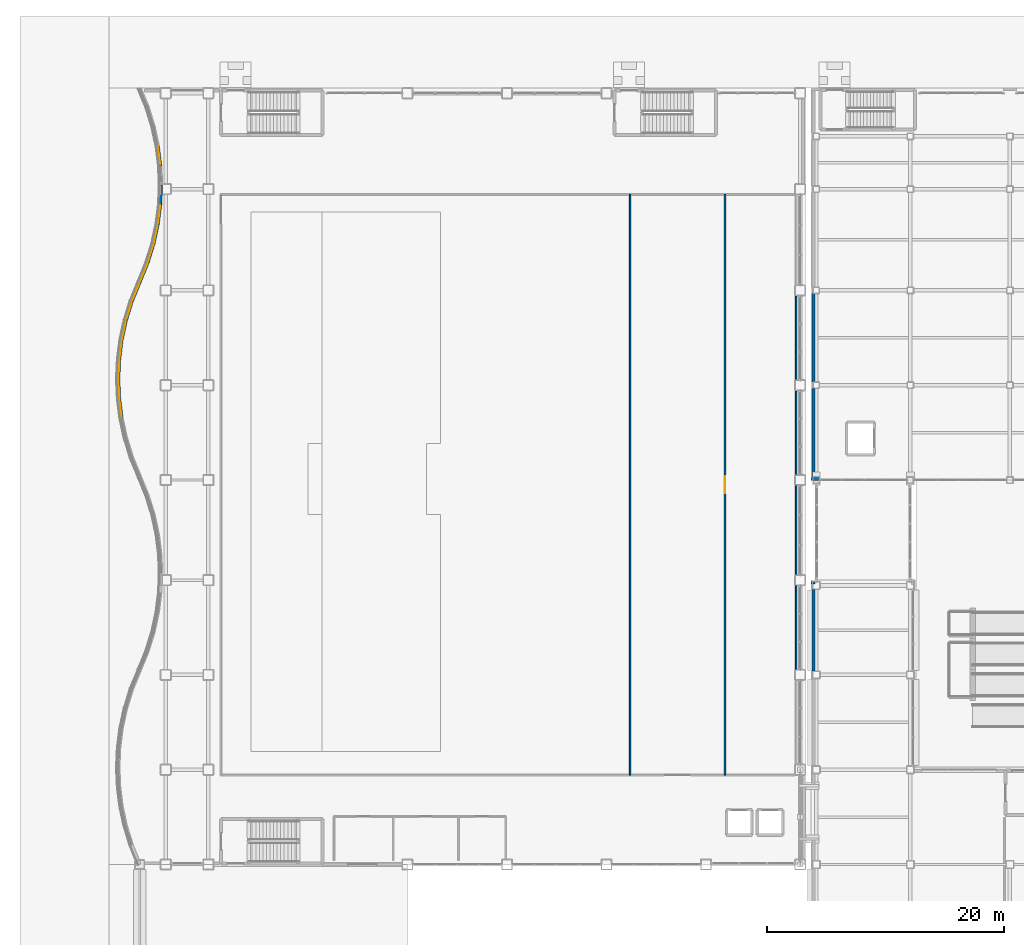
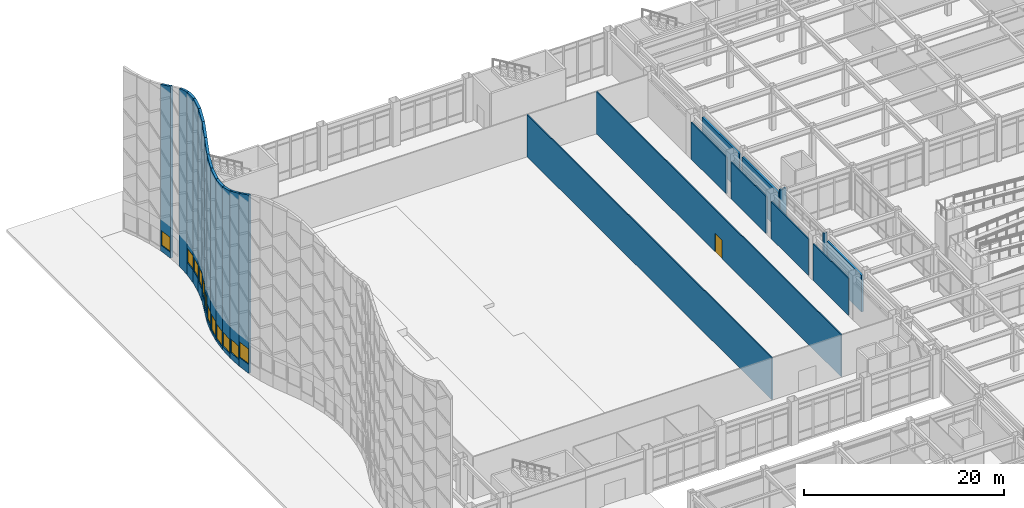
# One storey, part 131 of 165: 24 walls, 12 windows, 1 door, 13 openings.
"""IFC4 building model written with IfcOpenShell, lengths in metres."""

from ifc_helpers import new_model, si_unit, direction, frame, frame_2d, origin, place, context, subcontext, project, spatial, polyline, rectangle, outline, extrude, material, layer, layer_set, type_object, element, fill, save


model = new_model("IFC4")

# Units and contexts
model_context = context("Model", 3, precision=1e-05, world=origin(), true_north=direction((0.0, 1.0)))
body_context = subcontext(model_context, "Body", "Model", "MODEL_VIEW")
ifc_project = project(units=[si_unit("LENGTHUNIT", "METRE"), si_unit("AREAUNIT", "SQUARE_METRE"), si_unit("VOLUMEUNIT", "CUBIC_METRE"), si_unit("PLANEANGLEUNIT", "RADIAN"), si_unit("MASSUNIT", "GRAM", prefix="KILO")], contexts=[model_context])

# Site, building, storey
site_placement = place(None, origin())
site = spatial("IfcSite", under=ifc_project, at=site_placement, CompositionType="ELEMENT")
building_placement = place(site_placement, origin())
building = spatial("IfcBuilding", under=site, at=building_placement, Name="Kazehara Bluff Congress Hotel", CompositionType="ELEMENT")
storey_placement = place(building_placement, origin())
storey = spatial("IfcBuildingStorey", under=building, at=storey_placement, Name="L00", CompositionType="ELEMENT", Elevation=0.0)

# Walls
ifc_material_1 = material(Name="Precast concrete C40/50", Category="concrete")
ifc_layer_1 = layer(ifc_material_1, 0.239990234375)
ifc_layer_set_1 = layer_set([ifc_layer_1], Name="Precast concrete C40/50")
wall_type_1 = type_object("IfcWallType", Name="TP-EW-240", PredefinedType="SOLIDWALL", material=ifc_layer_set_1)
wall_1_placement = place(storey_placement, frame((59.97509765625, 81.0, 0.0), z_axis=(0.0, 0.0, 1.0), x_axis=(-1.0, 0.0, 0.0)))
element("IfcWall", 1, at=wall_1_placement, inside=storey, type_object=wall_type_1, Name="L00 V3 perimeter spandrel pier 515", PredefinedType="SOLIDWALL", context=body_context, shape_type="SweptSolid", body=[
    extrude(rectangle(XDim=0.72509765625, YDim=0.239990234375, at=frame_2d((0.362548828125, 0.0))), origin(), (0.0, 0.0, 1.0), 5.135009765625),
])
for number, where, z_axis, x_axis, name in (
    (2, (59.469970703125, 81.175048828125, 0.0), (0.0, 0.0, 1.0), (0.0, 1.0, 0.0), "L00 V3 perimeter spandrel pier 520"),
    (3, (59.469970703125, 89.175048828125, 0.0), (0.0, 0.0, 1.0), (0.0, 1.0, 0.0), "L00 V3 perimeter spandrel pier 521"),
):
    element("IfcWall", number, at=place(storey_placement, frame(where, z_axis=z_axis, x_axis=x_axis)), inside=storey, type_object=wall_type_1, Name=name, PredefinedType="SOLIDWALL", context=body_context, shape_type="SweptSolid", body=[
        extrude(rectangle(XDim=7.449951171875, YDim=0.239990234375, at=frame_2d((3.72509765625, 0.0))), origin(), (0.0, 0.0, 1.0), 4.47509765625),
    ])
wall_2_placement = place(storey_placement, frame((59.25, 72.22998046875, 0.0), z_axis=(0.0, 0.0, 1.0), x_axis=(1.0, 0.0, 0.0)))
element("IfcWall", 4, at=wall_2_placement, inside=storey, type_object=wall_type_1, Name="L00 V4 perimeter spandrel pier 535", PredefinedType="SOLIDWALL", context=body_context, shape_type="SweptSolid", body=[
    extrude(rectangle(XDim=0.360107421875, YDim=0.239990234375, at=frame_2d((0.18017578125, 0.0))), origin(), (0.0, 0.0, 1.0), 5.135009765625),
])
wall_3_placement = place(storey_placement, frame((59.469970703125, 64.77490234375, 0.0), z_axis=(0.0, 0.0, 1.0), x_axis=(0.0, 1.0, 0.0)))
element("IfcWall", 5, at=wall_3_placement, inside=storey, type_object=wall_type_1, Name="L00 V4 perimeter spandrel pier 538", PredefinedType="SOLIDWALL", context=body_context, shape_type="SweptSolid", body=[
    extrude(rectangle(XDim=6.900146484375, YDim=0.239990234375, at=frame_2d((3.4501953125, 0.0))), origin(), (0.0, 0.0, 1.0), 4.47509765625),
])

# Wall, opening, window
ifc_material_2 = material(Name="Precast concrete C40/50", Category="concrete")
ifc_layer_2 = layer(ifc_material_2, 0.280029296875)
ifc_layer_set_2 = layer_set([ifc_layer_2], Name="Precast concrete C40/50")
wall_type_2 = type_object("IfcWallType", Name="TP-EW-280", PredefinedType="SOLIDWALL", material=ifc_layer_set_2)
wall_4_placement = place(storey_placement, frame((1.070068359375, 86.139892578125, 0.0), z_axis=(0.0, 0.0, 1.0), x_axis=(-0.124071092335, 0.992273331319, 0.0)))
wall_4 = element("IfcWall", 6, at=wall_4_placement, inside=storey, type_object=wall_type_2, Name="Wave ribbon wall WR-V1 chord 24", PredefinedType="SOLIDWALL", context=body_context, shape_type="SweptSolid", body=[
    extrude(outline(polyline([(0.0, 0.0), (1.65283203125, 0.0), (1.655029296875, 21.090087890625), (1.449951171875, 21.179931640625), (1.239990234375, 21.27001953125), (1.034912109375, 21.360107421875), (0.830078125, 21.449951171875), (0.6201171875, 21.5400390625), (0.4150390625, 21.625), (0.205078125, 21.7099609375), (0.0, 21.7900390625), (0.0, 0.0)])), frame((0.0, 0.14013671875, 0.0), z_axis=(0.0, -1.0, 0.0), x_axis=(1.0, 0.0, 0.0)), (0.0, 0.0, 1.0), 0.280029296875),
])
opening_1_placement = place(wall_4_placement, frame((0.090087890625, 0.0, 1.090087890625)))
opening_1 = element("IfcOpeningElement", 7, at=opening_1_placement, cuts=wall_4, Name="Opening WW-08", PredefinedType="OPENING", context=body_context, shape_type="SweptSolid", body=[
    extrude(rectangle(XDim=1.47509765625, YDim=1.89990234375, at=frame_2d((0.737548828125, 0.949951171875))), frame((0.0, 0.14990234375, 0.0), z_axis=(0.0, -1.0, 0.0), x_axis=(1.0, 0.0, 0.0)), (0.0, 0.0, 1.0), 0.300048828125),
])
ifc_material_3 = material(Name="Insulated low-E double glazing", Category="glass")
window_type_1 = type_object("IfcWindowType", Name="TP-WW-08", PartitioningType="SINGLE_PANEL", PredefinedType="WINDOW", material=ifc_material_3)
window_1_placement = place(opening_1_placement, origin())
window_1 = element("IfcWindow", 8, at=window_1_placement, inside=storey, type_object=window_type_1, Name="Wave foyer ribbon window WR-V1-24", OverallHeight=1.89990234375, OverallWidth=1.47509765625, PartitioningType="SINGLE_PANEL", PredefinedType="WINDOW", context=body_context, shape_type="SweptSolid", body=[
    extrude(rectangle(XDim=1.47509765625, YDim=1.89990234375, at=frame_2d((0.737548828125, 0.949951171875))), frame((0.0, 0.030029296875, 0.0), z_axis=(0.0, -1.0, 0.0), x_axis=(1.0, 0.0, 0.0)), (0.0, 0.0, 1.0), 0.06005859375),
])
fill(opening_1, window_1)

wall_5_placement = place(storey_placement, frame((0.864990234375, 87.780029296875, 0.0), z_axis=(0.0, 0.0, 1.0), x_axis=(-0.042688459142, 0.99908843225, 0.0)))
wall_5 = element("IfcWall", 9, at=wall_5_placement, inside=storey, type_object=wall_type_2, Name="Wave ribbon wall WR-V1 chord 25", PredefinedType="SOLIDWALL", context=body_context, shape_type="SweptSolid", body=[
    extrude(outline(polyline([(0.0, 0.0), (1.641357421875, 0.0), (1.639892578125, 20.405029296875), (1.43505859375, 20.485107421875), (1.22998046875, 20.56494140625), (1.02490234375, 20.64990234375), (0.820068359375, 20.735107421875), (0.614990234375, 20.820068359375), (0.409912109375, 20.909912109375), (0.205078125, 21.0), (0.0, 21.090087890625), (0.0, 0.0)])), frame((0.0, 0.14013671875, 0.0), z_axis=(0.0, -1.0, 0.0), x_axis=(1.0, 0.0, 0.0)), (0.0, 0.0, 1.0), 0.280029296875),
])
opening_2_placement = place(wall_5_placement, frame((0.090087890625, 0.0, 0.7548828125)))
opening_2 = element("IfcOpeningElement", 10, at=opening_2_placement, cuts=wall_5, Name="Opening WW-01", PredefinedType="OPENING", context=body_context, shape_type="SweptSolid", body=[
    extrude(rectangle(XDim=1.4599609375, YDim=1.64990234375, at=frame_2d((0.72998046875, 0.824951171875))), frame((0.0, 0.14990234375, 0.0), z_axis=(0.0, -1.0, 0.0), x_axis=(1.0, 0.0, 0.0)), (0.0, 0.0, 1.0), 0.300048828125),
])
ifc_material_4 = material(Name="Insulated low-E double glazing", Category="glass")
window_type_2 = type_object("IfcWindowType", Name="TP-WW-01", PartitioningType="SINGLE_PANEL", PredefinedType="WINDOW", material=ifc_material_4)
window_2_placement = place(opening_2_placement, origin())
window_2 = element("IfcWindow", 11, at=window_2_placement, inside=storey, type_object=window_type_2, Name="Wave foyer ribbon window WR-V1-25", OverallHeight=1.64990234375, OverallWidth=1.4599609375, PartitioningType="SINGLE_PANEL", PredefinedType="WINDOW", context=body_context, shape_type="SweptSolid", body=[
    extrude(rectangle(XDim=1.4599609375, YDim=1.64990234375, at=frame_2d((0.72998046875, 0.824951171875))), frame((0.0, 0.030029296875, 0.0), z_axis=(0.0, -1.0, 0.0), x_axis=(1.0, 0.0, 0.0)), (0.0, 0.0, 1.0), 0.06005859375),
])
fill(opening_2, window_2)

wall_6_placement = place(storey_placement, frame((0.794921875, 89.419921875, 0.0), z_axis=(0.0, 0.0, 1.0), x_axis=(0.042682116378, 0.99908870324, 0.0)))
wall_6 = element("IfcWall", 12, at=wall_6_placement, inside=storey, type_object=wall_type_2, Name="Wave ribbon wall WR-V1 chord 26", PredefinedType="SOLIDWALL", context=body_context, shape_type="SweptSolid", body=[
    extrude(outline(polyline([(0.0, 0.0), (1.6416015625, 0.0), (1.639892578125, 19.919921875), (1.43505859375, 19.965087890625), (1.22998046875, 20.014892578125), (1.02490234375, 20.070068359375), (0.820068359375, 20.1298828125), (0.614990234375, 20.195068359375), (0.409912109375, 20.260009765625), (0.205078125, 20.330078125), (0.0, 20.405029296875), (0.0, 0.0)])), frame((0.0, 0.14013671875, 0.0), z_axis=(0.0, -1.0, 0.0), x_axis=(1.0, 0.0, 0.0)), (0.0, 0.0, 1.0), 0.280029296875),
])
opening_3_placement = place(wall_6_placement, frame((0.090087890625, 0.0, 0.47509765625)))
opening_3 = element("IfcOpeningElement", 13, at=opening_3_placement, cuts=wall_6, Name="Opening WW-02", PredefinedType="OPENING", context=body_context, shape_type="SweptSolid", body=[
    extrude(rectangle(XDim=1.4599609375, YDim=1.75, at=frame_2d((0.72998046875, 0.875))), frame((0.0, 0.14990234375, 0.0), z_axis=(0.0, -1.0, 0.0), x_axis=(1.0, 0.0, 0.0)), (0.0, 0.0, 1.0), 0.300048828125),
])
ifc_material_5 = material(Name="Insulated low-E double glazing", Category="glass")
window_type_3 = type_object("IfcWindowType", Name="TP-WW-02", PartitioningType="SINGLE_PANEL", PredefinedType="WINDOW", material=ifc_material_5)
window_3_placement = place(opening_3_placement, origin())
window_3 = element("IfcWindow", 14, at=window_3_placement, inside=storey, type_object=window_type_3, Name="Wave foyer ribbon window WR-V1-26", OverallHeight=1.75, OverallWidth=1.4599609375, PartitioningType="SINGLE_PANEL", PredefinedType="WINDOW", context=body_context, shape_type="SweptSolid", body=[
    extrude(rectangle(XDim=1.4599609375, YDim=1.75, at=frame_2d((0.72998046875, 0.875))), frame((0.0, 0.030029296875, 0.0), z_axis=(0.0, -1.0, 0.0), x_axis=(1.0, 0.0, 0.0)), (0.0, 0.0, 1.0), 0.06005859375),
])
fill(opening_3, window_3)

wall_7_placement = place(storey_placement, frame((0.864990234375, 91.06005859375, 0.0), z_axis=(0.0, 0.0, 1.0), x_axis=(0.124454129367, 0.992225362346, 0.0)))
wall_7 = element("IfcWall", 15, at=wall_7_placement, inside=storey, type_object=wall_type_2, Name="Wave ribbon wall WR-V1 chord 27", PredefinedType="SOLIDWALL", context=body_context, shape_type="SweptSolid", body=[
    extrude(outline(polyline([(0.0, 0.0), (1.647705078125, 0.0), (1.64990234375, 19.75), (1.445068359375, 19.75), (1.235107421875, 19.760009765625), (1.030029296875, 19.77001953125), (0.824951171875, 19.7900390625), (0.6201171875, 19.81494140625), (0.409912109375, 19.844970703125), (0.205078125, 19.8798828125), (0.0, 19.919921875), (0.0, 0.0)])), frame((0.0, 0.14013671875, 0.0), z_axis=(0.0, -1.0, 0.0), x_axis=(1.0, 0.0, 0.0)), (0.0, 0.0, 1.0), 0.280029296875),
])
opening_4_placement = place(wall_7_placement, frame((0.090087890625, 0.0, 0.320068359375)))
opening_4 = element("IfcOpeningElement", 16, at=opening_4_placement, cuts=wall_7, Name="Opening WW-03", PredefinedType="OPENING", context=body_context, shape_type="SweptSolid", body=[
    extrude(rectangle(XDim=1.469970703125, YDim=1.85009765625, at=frame_2d((0.73486328125, 0.925048828125))), frame((0.0, 0.14990234375, 0.0), z_axis=(0.0, -1.0, 0.0), x_axis=(1.0, 0.0, 0.0)), (0.0, 0.0, 1.0), 0.300048828125),
])
ifc_material_6 = material(Name="Insulated low-E double glazing", Category="glass")
window_type_4 = type_object("IfcWindowType", Name="TP-WW-03", PartitioningType="SINGLE_PANEL", PredefinedType="WINDOW", material=ifc_material_6)
window_4_placement = place(opening_4_placement, origin())
window_4 = element("IfcWindow", 17, at=window_4_placement, inside=storey, type_object=window_type_4, Name="Wave foyer ribbon window WR-V1-27", OverallHeight=1.85009765625, OverallWidth=1.469970703125, PartitioningType="SINGLE_PANEL", PredefinedType="WINDOW", context=body_context, shape_type="SweptSolid", body=[
    extrude(rectangle(XDim=1.469970703125, YDim=1.85009765625, at=frame_2d((0.73486328125, 0.925048828125))), frame((0.0, 0.030029296875, 0.0), z_axis=(0.0, -1.0, 0.0), x_axis=(1.0, 0.0, 0.0)), (0.0, 0.0, 1.0), 0.06005859375),
])
fill(opening_4, window_4)

wall_8_placement = place(storey_placement, frame((1.070068359375, 92.695068359375, 0.0), z_axis=(0.0, 0.0, 1.0), x_axis=(0.211565717967, 0.97736377413, 0.0)))
wall_8 = element("IfcWall", 18, at=wall_8_placement, inside=storey, type_object=wall_type_2, Name="Wave ribbon wall WR-V1 chord 28", PredefinedType="SOLIDWALL", context=body_context, shape_type="SweptSolid", body=[
    extrude(outline(polyline([(0.0, 0.0), (1.677978515625, 0.0), (1.679931640625, 19.955078125), (1.469970703125, 19.909912109375), (1.260009765625, 19.8701171875), (1.050048828125, 19.8349609375), (0.840087890625, 19.804931640625), (0.6298828125, 19.784912109375), (0.419921875, 19.764892578125), (0.2099609375, 19.7548828125), (0.0, 19.75), (0.0, 0.0)])), frame((0.0, 0.14013671875, 0.0), z_axis=(0.0, -1.0, 0.0), x_axis=(1.0, 0.0, 0.0)), (0.0, 0.0, 1.0), 0.280029296875),
])
opening_5_placement = place(wall_8_placement, frame((0.090087890625, 0.0, 0.324951171875)))
opening_5 = element("IfcOpeningElement", 19, at=opening_5_placement, cuts=wall_8, Name="Opening WW-04", PredefinedType="OPENING", context=body_context, shape_type="SweptSolid", body=[
    extrude(rectangle(XDim=1.5, YDim=1.949951171875, at=frame_2d((0.75, 0.97509765625))), frame((0.0, 0.14990234375, 0.0), z_axis=(0.0, -1.0, 0.0), x_axis=(1.0, 0.0, 0.0)), (0.0, 0.0, 1.0), 0.300048828125),
])
ifc_material_7 = material(Name="Insulated low-E double glazing", Category="glass")
window_type_5 = type_object("IfcWindowType", Name="TP-WW-04", PartitioningType="SINGLE_PANEL", PredefinedType="WINDOW", material=ifc_material_7)
window_5_placement = place(opening_5_placement, origin())
window_5 = element("IfcWindow", 20, at=window_5_placement, inside=storey, type_object=window_type_5, Name="Wave foyer ribbon window WR-V1-28", OverallHeight=1.949951171875, OverallWidth=1.5, PartitioningType="SINGLE_PANEL", PredefinedType="WINDOW", context=body_context, shape_type="SweptSolid", body=[
    extrude(rectangle(XDim=1.5, YDim=1.949951171875, at=frame_2d((0.75, 0.97509765625))), frame((0.0, 0.030029296875, 0.0), z_axis=(0.0, -1.0, 0.0), x_axis=(1.0, 0.0, 0.0)), (0.0, 0.0, 1.0), 0.06005859375),
])
fill(opening_5, window_5)

wall_9_placement = place(storey_placement, frame((1.425048828125, 94.3349609375, 0.0), z_axis=(0.0, 0.0, 1.0), x_axis=(0.294205811251, 0.955742088969, 0.0)))
wall_9 = element("IfcWall", 21, at=wall_9_placement, inside=storey, type_object=wall_type_2, Name="Wave ribbon wall WR-V1 chord 29", PredefinedType="SOLIDWALL", context=body_context, shape_type="SweptSolid", body=[
    extrude(outline(polyline([(0.0, 0.0), (1.716064453125, 0.0), (1.715087890625, 20.5), (1.5, 20.419921875), (1.284912109375, 20.340087890625), (1.070068359375, 20.264892578125), (0.860107421875, 20.195068359375), (0.64501953125, 20.125), (0.429931640625, 20.06494140625), (0.215087890625, 20.010009765625), (0.0, 19.955078125), (0.0, 0.0)])), frame((0.0, 0.14013671875, 0.0), z_axis=(0.0, -1.0, 0.0), x_axis=(1.0, 0.0, 0.0)), (0.0, 0.0, 1.0), 0.280029296875),
])
opening_6_placement = place(wall_9_placement, frame((0.090087890625, 0.0, 0.5048828125)))
opening_6 = element("IfcOpeningElement", 22, at=opening_6_placement, cuts=wall_9, Name="Opening WW-05", PredefinedType="OPENING", context=body_context, shape_type="SweptSolid", body=[
    extrude(rectangle(XDim=1.534912109375, YDim=1.800048828125, at=frame_2d((0.767578125, 0.89990234375))), frame((0.0, 0.14990234375, 0.0), z_axis=(0.0, -1.0, 0.0), x_axis=(1.0, 0.0, 0.0)), (0.0, 0.0, 1.0), 0.300048828125),
])
ifc_material_8 = material(Name="Insulated low-E double glazing", Category="glass")
window_type_6 = type_object("IfcWindowType", Name="TP-WW-05", PartitioningType="DOUBLE_PANEL_VERTICAL", PredefinedType="WINDOW", material=ifc_material_8)
window_6_placement = place(opening_6_placement, origin())
window_6 = element("IfcWindow", 23, at=window_6_placement, inside=storey, type_object=window_type_6, Name="Wave foyer ribbon window WR-V1-29", OverallHeight=1.800048828125, OverallWidth=1.534912109375, PartitioningType="SINGLE_PANEL", PredefinedType="WINDOW", context=body_context, shape_type="SweptSolid", body=[
    extrude(rectangle(XDim=1.534912109375, YDim=1.800048828125, at=frame_2d((0.767578125, 0.89990234375))), frame((0.0, 0.030029296875, 0.0), z_axis=(0.0, -1.0, 0.0), x_axis=(1.0, 0.0, 0.0)), (0.0, 0.0, 1.0), 0.06005859375),
])
fill(opening_6, window_6)

wall_10_placement = place(storey_placement, frame((1.929931640625, 95.97509765625, 0.0), z_axis=(0.0, 0.0, 1.0), x_axis=(0.379262202466, 0.925289242227, 0.0)))
wall_10 = element("IfcWall", 24, at=wall_10_placement, inside=storey, type_object=wall_type_2, Name="Wave ribbon wall WR-V1 chord 30", PredefinedType="SOLIDWALL", context=body_context, shape_type="SweptSolid", body=[
    extrude(outline(polyline([(0.0, 0.0), (1.76708984375, 0.0), (1.764892578125, 21.25), (1.544921875, 21.155029296875), (1.324951171875, 21.054931640625), (1.10498046875, 20.9599609375), (0.8798828125, 20.864990234375), (0.659912109375, 20.77001953125), (0.43994140625, 20.679931640625), (0.219970703125, 20.590087890625), (0.0, 20.5), (0.0, 0.0)])), frame((0.0, 0.14013671875, 0.0), z_axis=(0.0, -1.0, 0.0), x_axis=(1.0, 0.0, 0.0)), (0.0, 0.0, 1.0), 0.280029296875),
])
opening_7_placement = place(wall_10_placement, frame((0.090087890625, 0.0, 0.820068359375)))
opening_7 = element("IfcOpeningElement", 25, at=opening_7_placement, cuts=wall_10, Name="Opening WW-06", PredefinedType="OPENING", context=body_context, shape_type="SweptSolid", body=[
    extrude(rectangle(XDim=1.5849609375, YDim=2.0, at=frame_2d((0.79248046875, 1.0))), frame((0.0, 0.14990234375, 0.0), z_axis=(0.0, -1.0, 0.0), x_axis=(1.0, 0.0, 0.0)), (0.0, 0.0, 1.0), 0.300048828125),
])
ifc_material_9 = material(Name="Insulated low-E double glazing", Category="glass")
window_type_7 = type_object("IfcWindowType", Name="TP-WW-06", PartitioningType="DOUBLE_PANEL_VERTICAL", PredefinedType="WINDOW", material=ifc_material_9)
window_7_placement = place(opening_7_placement, origin())
window_7 = element("IfcWindow", 26, at=window_7_placement, inside=storey, type_object=window_type_7, Name="Wave foyer ribbon window WR-V1-30", OverallHeight=2.0, OverallWidth=1.5849609375, PartitioningType="SINGLE_PANEL", PredefinedType="WINDOW", context=body_context, shape_type="SweptSolid", body=[
    extrude(rectangle(XDim=1.5849609375, YDim=2.0, at=frame_2d((0.79248046875, 1.0))), frame((0.0, 0.030029296875, 0.0), z_axis=(0.0, -1.0, 0.0), x_axis=(1.0, 0.0, 0.0)), (0.0, 0.0, 1.0), 0.06005859375),
])
fill(opening_7, window_7)

wall_11_placement = place(storey_placement, frame((2.60009765625, 97.610107421875, 0.0), z_axis=(0.0, 0.0, 1.0), x_axis=(0.378176653847, 0.925733448939, 0.0)))
wall_11 = element("IfcWall", 27, at=wall_11_placement, inside=storey, type_object=wall_type_2, Name="Wave ribbon wall WR-V1 chord 31", PredefinedType="SOLIDWALL", context=body_context, shape_type="SweptSolid", body=[
    extrude(outline(polyline([(0.0, 0.0), (1.771484375, 0.0), (1.77001953125, 21.97509765625), (1.550048828125, 21.889892578125), (1.330078125, 21.81005859375), (1.10498046875, 21.719970703125), (0.885009765625, 21.6298828125), (0.6650390625, 21.5400390625), (0.43994140625, 21.445068359375), (0.219970703125, 21.35009765625), (0.0, 21.25), (0.0, 0.0)])), frame((0.0, 0.14013671875, 0.0), z_axis=(0.0, -1.0, 0.0), x_axis=(1.0, 0.0, 0.0)), (0.0, 0.0, 1.0), 0.280029296875),
])
opening_8_placement = place(wall_11_placement, frame((0.090087890625, 0.0, 1.175048828125)))
opening_8 = element("IfcOpeningElement", 28, at=opening_8_placement, cuts=wall_11, Name="Opening WW-07", PredefinedType="OPENING", context=body_context, shape_type="SweptSolid", body=[
    extrude(rectangle(XDim=1.590087890625, YDim=2.10009765625, at=frame_2d((0.794921875, 1.050048828125))), frame((0.0, 0.14990234375, 0.0), z_axis=(0.0, -1.0, 0.0), x_axis=(1.0, 0.0, 0.0)), (0.0, 0.0, 1.0), 0.300048828125),
])
ifc_material_10 = material(Name="Insulated low-E double glazing", Category="glass")
window_type_8 = type_object("IfcWindowType", Name="TP-WW-07", PartitioningType="DOUBLE_PANEL_VERTICAL", PredefinedType="WINDOW", material=ifc_material_10)
window_8_placement = place(opening_8_placement, origin())
window_8 = element("IfcWindow", 29, at=window_8_placement, inside=storey, type_object=window_type_8, Name="Wave foyer ribbon window WR-V1-31", OverallHeight=2.10009765625, OverallWidth=1.590087890625, PartitioningType="SINGLE_PANEL", PredefinedType="WINDOW", context=body_context, shape_type="SweptSolid", body=[
    extrude(rectangle(XDim=1.590087890625, YDim=2.10009765625, at=frame_2d((0.794921875, 1.050048828125))), frame((0.0, 0.030029296875, 0.0), z_axis=(0.0, -1.0, 0.0), x_axis=(1.0, 0.0, 0.0)), (0.0, 0.0, 1.0), 0.06005859375),
])
fill(opening_8, window_8)

wall_12_placement = place(storey_placement, frame((3.27001953125, 99.25, 0.0), z_axis=(0.0, 0.0, 1.0), x_axis=(0.294245819444, 0.955729772342, 0.0)))
wall_12 = element("IfcWall", 30, at=wall_12_placement, inside=storey, type_object=wall_type_2, Name="Wave ribbon wall WR-V1 chord 32", PredefinedType="SOLIDWALL", context=body_context, shape_type="SweptSolid", body=[
    extrude(outline(polyline([(0.0, 0.0), (1.7158203125, 0.0), (1.715087890625, 22.43505859375), (1.5, 22.39990234375), (1.284912109375, 22.35009765625), (1.070068359375, 22.300048828125), (0.860107421875, 22.2451171875), (0.64501953125, 22.18505859375), (0.429931640625, 22.1201171875), (0.215087890625, 22.044921875), (0.0, 21.97509765625), (0.0, 0.0)])), frame((0.0, 0.14013671875, 0.0), z_axis=(0.0, -1.0, 0.0), x_axis=(1.0, 0.0, 0.0)), (0.0, 0.0, 1.0), 0.280029296875),
])
opening_9_placement = place(wall_12_placement, frame((0.090087890625, 0.0, 1.4599609375)))
opening_9 = element("IfcOpeningElement", 31, at=opening_9_placement, cuts=wall_12, Name="Opening WW-08", PredefinedType="OPENING", context=body_context, shape_type="SweptSolid", body=[
    extrude(rectangle(XDim=1.534912109375, YDim=1.89990234375, at=frame_2d((0.767578125, 0.949951171875))), frame((0.0, 0.14990234375, 0.0), z_axis=(0.0, -1.0, 0.0), x_axis=(1.0, 0.0, 0.0)), (0.0, 0.0, 1.0), 0.300048828125),
])
window_9_placement = place(opening_9_placement, origin())
window_9 = element("IfcWindow", 32, at=window_9_placement, inside=storey, type_object=window_type_1, Name="Wave foyer ribbon window WR-V1-32", OverallHeight=1.89990234375, OverallWidth=1.534912109375, PartitioningType="SINGLE_PANEL", PredefinedType="WINDOW", context=body_context, shape_type="SweptSolid", body=[
    extrude(rectangle(XDim=1.534912109375, YDim=1.89990234375, at=frame_2d((0.767578125, 0.949951171875))), frame((0.0, 0.030029296875, 0.0), z_axis=(0.0, -1.0, 0.0), x_axis=(1.0, 0.0, 0.0)), (0.0, 0.0, 1.0), 0.06005859375),
])
fill(opening_9, window_9)

wall_13_placement = place(storey_placement, frame((3.77490234375, 100.889892578125, 0.0), z_axis=(0.0, 0.0, 1.0), x_axis=(0.2115356349, 0.977370285597, 0.0)))
wall_13 = element("IfcWall", 33, at=wall_13_placement, inside=storey, type_object=wall_type_2, Name="Wave ribbon wall WR-V1 chord 33", PredefinedType="SOLIDWALL", context=body_context, shape_type="SweptSolid", body=[
    extrude(outline(polyline([(0.0, 0.0), (1.67822265625, 0.0), (1.679931640625, 22.5400390625), (1.469970703125, 22.550048828125), (1.260009765625, 22.550048828125), (1.050048828125, 22.544921875), (0.840087890625, 22.534912109375), (0.6298828125, 22.52001953125), (0.419921875, 22.5), (0.2099609375, 22.469970703125), (0.0, 22.43505859375), (0.0, 0.0)])), frame((0.0, 0.14013671875, 0.0), z_axis=(0.0, -1.0, 0.0), x_axis=(1.0, 0.0, 0.0)), (0.0, 0.0, 1.0), 0.280029296875),
])
opening_10_placement = place(wall_13_placement, frame((0.090087890625, 0.0, 1.594970703125)))
opening_10 = element("IfcOpeningElement", 34, at=opening_10_placement, cuts=wall_13, Name="Opening WW-01", PredefinedType="OPENING", context=body_context, shape_type="SweptSolid", body=[
    extrude(rectangle(XDim=1.5, YDim=1.64990234375, at=frame_2d((0.75, 0.824951171875))), frame((0.0, 0.14990234375, 0.0), z_axis=(0.0, -1.0, 0.0), x_axis=(1.0, 0.0, 0.0)), (0.0, 0.0, 1.0), 0.300048828125),
])
window_10_placement = place(opening_10_placement, origin())
window_10 = element("IfcWindow", 35, at=window_10_placement, inside=storey, type_object=window_type_2, Name="Wave foyer ribbon window WR-V1-33", OverallHeight=1.64990234375, OverallWidth=1.5, PartitioningType="SINGLE_PANEL", PredefinedType="WINDOW", context=body_context, shape_type="SweptSolid", body=[
    extrude(rectangle(XDim=1.5, YDim=1.64990234375, at=frame_2d((0.75, 0.824951171875))), frame((0.0, 0.030029296875, 0.0), z_axis=(0.0, -1.0, 0.0), x_axis=(1.0, 0.0, 0.0)), (0.0, 0.0, 1.0), 0.06005859375),
])
fill(opening_10, window_10)

wall_14_placement = place(storey_placement, frame((4.1298828125, 102.530029296875, 0.0), z_axis=(0.0, 0.0, 1.0), x_axis=(0.124454129367, 0.992225362346, 0.0)))
wall_14 = element("IfcWall", 36, at=wall_14_placement, inside=storey, type_object=wall_type_2, Name="Wave ribbon wall WR-V1 chord 34", PredefinedType="SOLIDWALL", context=body_context, shape_type="SweptSolid", body=[
    extrude(outline(polyline([(0.0, 0.0), (1.647705078125, 0.0), (1.64990234375, 22.27001953125), (1.445068359375, 22.324951171875), (1.235107421875, 22.3701171875), (1.030029296875, 22.409912109375), (0.824951171875, 22.449951171875), (0.6201171875, 22.47998046875), (0.409912109375, 22.5048828125), (0.205078125, 22.52490234375), (0.0, 22.5400390625), (0.0, 0.0)])), frame((0.0, 0.14013671875, 0.0), z_axis=(0.0, -1.0, 0.0), x_axis=(1.0, 0.0, 0.0)), (0.0, 0.0, 1.0), 0.280029296875),
])
opening_11_placement = place(wall_14_placement, frame((0.090087890625, 0.0, 1.554931640625)))
opening_11 = element("IfcOpeningElement", 37, at=opening_11_placement, cuts=wall_14, Name="Opening WW-02", PredefinedType="OPENING", context=body_context, shape_type="SweptSolid", body=[
    extrude(rectangle(XDim=1.469970703125, YDim=1.75, at=frame_2d((0.73486328125, 0.875))), frame((0.0, 0.14990234375, 0.0), z_axis=(0.0, -1.0, 0.0), x_axis=(1.0, 0.0, 0.0)), (0.0, 0.0, 1.0), 0.300048828125),
])
window_11_placement = place(opening_11_placement, origin())
window_11 = element("IfcWindow", 38, at=window_11_placement, inside=storey, type_object=window_type_3, Name="Wave foyer ribbon window WR-V1-34", OverallHeight=1.75, OverallWidth=1.469970703125, PartitioningType="SINGLE_PANEL", PredefinedType="WINDOW", context=body_context, shape_type="SweptSolid", body=[
    extrude(rectangle(XDim=1.469970703125, YDim=1.75, at=frame_2d((0.73486328125, 0.875))), frame((0.0, 0.030029296875, 0.0), z_axis=(0.0, -1.0, 0.0), x_axis=(1.0, 0.0, 0.0)), (0.0, 0.0, 1.0), 0.06005859375),
])
fill(opening_11, window_11)

# Wall
wall_15_placement = place(storey_placement, frame((4.3349609375, 104.1650390625, 0.0), z_axis=(0.0, 0.0, 1.0), x_axis=(0.042688459142, 0.99908843225, 0.0)))
element("IfcWall", 39, at=wall_15_placement, inside=storey, type_object=wall_type_2, Name="Wave ribbon wall WR-V1 chord 35", PredefinedType="SOLIDWALL", context=body_context, shape_type="SweptSolid", body=[
    extrude(outline(polyline([(0.0, 0.0), (1.641357421875, 0.0), (1.639892578125, 21.7099609375), (1.43505859375, 21.794921875), (1.22998046875, 21.8701171875), (1.02490234375, 21.949951171875), (0.820068359375, 22.02001953125), (0.614990234375, 22.090087890625), (0.409912109375, 22.155029296875), (0.205078125, 22.215087890625), (0.0, 22.27001953125), (0.0, 0.0)])), frame((0.0, 0.14013671875, 0.0), z_axis=(0.0, -1.0, 0.0), x_axis=(1.0, 0.0, 0.0)), (0.0, 0.0, 1.0), 0.280029296875),
])

# Wall, opening, window
wall_16_placement = place(storey_placement, frame((4.3349609375, 107.445068359375, 0.0), z_axis=(0.0, 0.0, 1.0), x_axis=(-0.12408927914, 0.992271057122, 0.0)))
wall_16 = element("IfcWall", 40, at=wall_16_placement, inside=storey, type_object=wall_type_2, Name="Wave ribbon wall WR-V1 chord 37", PredefinedType="SOLIDWALL", context=body_context, shape_type="SweptSolid", body=[
    extrude(outline(polyline([(0.0, 0.0), (1.652587890625, 0.0), (1.655029296875, 20.3349609375), (1.449951171875, 20.409912109375), (1.239990234375, 20.489990234375), (1.034912109375, 20.570068359375), (0.830078125, 20.655029296875), (0.6201171875, 20.739990234375), (0.4150390625, 20.830078125), (0.205078125, 20.9150390625), (0.0, 21.0048828125), (0.0, 0.0)])), frame((0.0, 0.14013671875, 0.0), z_axis=(0.0, -1.0, 0.0), x_axis=(1.0, 0.0, 0.0)), (0.0, 0.0, 1.0), 0.280029296875),
])
opening_12_placement = place(wall_16_placement, frame((0.090087890625, 0.0, 0.719970703125)))
opening_12 = element("IfcOpeningElement", 41, at=opening_12_placement, cuts=wall_16, Name="Opening WW-05", PredefinedType="OPENING", context=body_context, shape_type="SweptSolid", body=[
    extrude(rectangle(XDim=1.47509765625, YDim=1.800048828125, at=frame_2d((0.737548828125, 0.89990234375))), frame((0.0, 0.14990234375, 0.0), z_axis=(0.0, -1.0, 0.0), x_axis=(1.0, 0.0, 0.0)), (0.0, 0.0, 1.0), 0.300048828125),
])
window_12_placement = place(opening_12_placement, origin())
window_12 = element("IfcWindow", 42, at=window_12_placement, inside=storey, type_object=window_type_6, Name="Wave foyer ribbon window WR-V1-37", OverallHeight=1.800048828125, OverallWidth=1.47509765625, PartitioningType="SINGLE_PANEL", PredefinedType="WINDOW", context=body_context, shape_type="SweptSolid", body=[
    extrude(rectangle(XDim=1.47509765625, YDim=1.800048828125, at=frame_2d((0.737548828125, 0.89990234375))), frame((0.0, 0.030029296875, 0.0), z_axis=(0.0, -1.0, 0.0), x_axis=(1.0, 0.0, 0.0)), (0.0, 0.0, 1.0), 0.06005859375),
])
fill(opening_12, window_12)

# Wall
ifc_material_11 = material(Name="Fire-rated gypsum board stud partition")
ifc_layer_3 = layer(ifc_material_11, 0.1298828125)
ifc_layer_set_3 = layer_set([ifc_layer_3], Name="Fire-rated gypsum board stud partition")
wall_type_3 = type_object("IfcWallType", Name="TP-PT-130", PredefinedType="PARTITIONING", material=ifc_layer_set_3)
wall_17_placement = place(storey_placement, frame((44.0, 56.0, 0.0), z_axis=(0.0, 0.0, 1.0), x_axis=(0.0, 1.0, 0.0)))
element("IfcWall", 43, at=wall_17_placement, inside=storey, type_object=wall_type_3, Name="L00 partition PT-130 102", PredefinedType="PARTITIONING", context=body_context, shape_type="SweptSolid", body=[
    extrude(rectangle(XDim=49.0, YDim=0.1298828125, at=frame_2d((24.5, 0.0))), origin(), (0.0, 0.0, 1.0), 5.135009765625),
])

# Wall, opening, door
wall_18_placement = place(storey_placement, frame((52.0, 56.0, 0.0), z_axis=(0.0, 0.0, 1.0), x_axis=(0.0, 1.0, 0.0)))
wall_18 = element("IfcWall", 44, at=wall_18_placement, inside=storey, type_object=wall_type_3, Name="L00 partition PT-130 105", PredefinedType="PARTITIONING", context=body_context, shape_type="SweptSolid", body=[
    extrude(rectangle(XDim=49.0, YDim=0.1298828125, at=frame_2d((24.5, 0.0))), origin(), (0.0, 0.0, 1.0), 5.135009765625),
])
opening_13_placement = place(wall_18_placement, frame((23.800048828125, 0.0, 0.0)))
opening_13 = element("IfcOpeningElement", 45, at=opening_13_placement, cuts=wall_18, Name="Opening FD-03", PredefinedType="OPENING", context=body_context, shape_type="SweptSolid", body=[
    extrude(rectangle(XDim=1.39990234375, YDim=2.25, at=frame_2d((0.699951171875, 1.125))), frame((0.0, 0.074951171875, 0.0), z_axis=(0.0, -1.0, 0.0), x_axis=(1.0, 0.0, 0.0)), (0.0, 0.0, 1.0), 0.14990234375),
])
ifc_material_12 = material(Name="Fire-rated painted steel leaf", Category="steel")
door_type = type_object("IfcDoorType", Name="TP-FD-03", OperationType="NOTDEFINED", PredefinedType="DOOR", material=ifc_material_12)
door_placement = place(opening_13_placement, origin())
door = element("IfcDoor", 46, at=door_placement, inside=storey, type_object=door_type, Name="L00 Congress Backstage and Green Room door", OperationType="SINGLE_SWING_RIGHT", OverallHeight=2.25, OverallWidth=1.39990234375, PredefinedType="DOOR", context=body_context, shape_type="SweptSolid", body=[
    extrude(rectangle(XDim=1.39990234375, YDim=2.25, at=frame_2d((0.699951171875, 1.125))), frame((0.0, 0.02490234375, 0.0), z_axis=(0.0, -1.0, 0.0), x_axis=(1.0, 0.0, 0.0)), (0.0, 0.0, 1.0), 0.050048828125),
])
fill(opening_13, door)

# Walls
wall_19_placement = place(storey_placement, frame((58.0, 64.919921875, 0.0), z_axis=(0.0, 0.0, 1.0), x_axis=(0.0, 1.0, 0.0)))
element("IfcWall", 47, at=wall_19_placement, inside=storey, type_object=wall_type_3, Name="L00 partition PT-130 108", PredefinedType="PARTITIONING", context=body_context, shape_type="SweptSolid", body=[
    extrude(rectangle(XDim=7.06005859375, YDim=0.1298828125, at=frame_2d((3.530029296875, 0.0))), origin(), (0.0, 0.0, 1.0), 4.47509765625),
])
wall_20_placement = place(storey_placement, frame((58.0, 72.919921875, 0.0), z_axis=(0.0, 0.0, 1.0), x_axis=(0.0, 1.0, 0.0)))
element("IfcWall", 48, at=wall_20_placement, inside=storey, type_object=wall_type_3, Name="L00 partition PT-130 109", PredefinedType="PARTITIONING", context=body_context, shape_type="SweptSolid", body=[
    extrude(rectangle(XDim=7.510009765625, YDim=0.1298828125, at=frame_2d((3.7548828125, 0.0))), origin(), (0.0, 0.0, 1.0), 4.47509765625),
])
for number, where, z_axis, x_axis, name in (
    (49, (58.0, 81.3701171875, 0.0), (0.0, 0.0, 1.0), (0.0, 1.0, 0.0), "L00 partition PT-130 110"),
    (50, (58.0, 89.3701171875, 0.0), (0.0, 0.0, 1.0), (0.0, 1.0, 0.0), "L00 partition PT-130 111"),
):
    element("IfcWall", number, at=place(storey_placement, frame(where, z_axis=z_axis, x_axis=x_axis)), inside=storey, type_object=wall_type_3, Name=name, PredefinedType="PARTITIONING", context=body_context, shape_type="SweptSolid", body=[
        extrude(rectangle(XDim=7.059814453125, YDim=0.1298828125, at=frame_2d((3.52978515625, 0.0))), origin(), (0.0, 0.0, 1.0), 4.47509765625),
    ])

save(model, "model.ifc")
